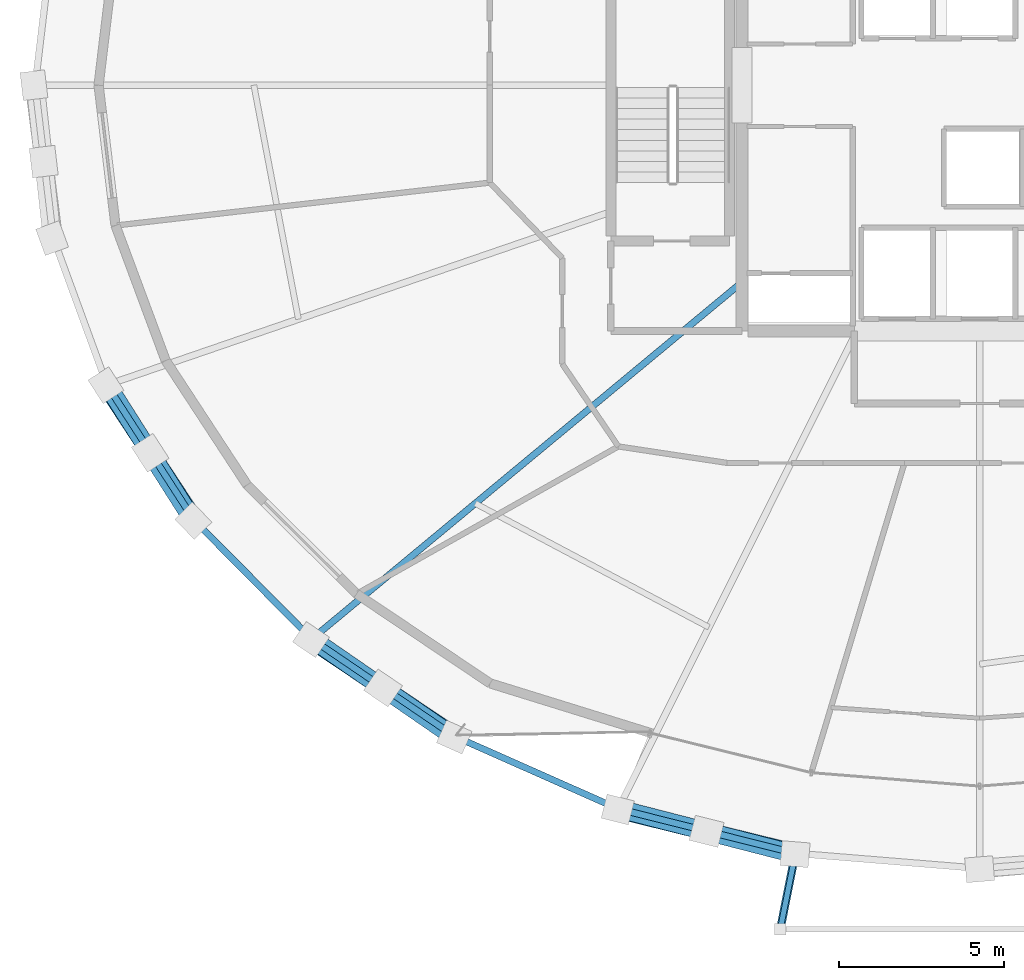
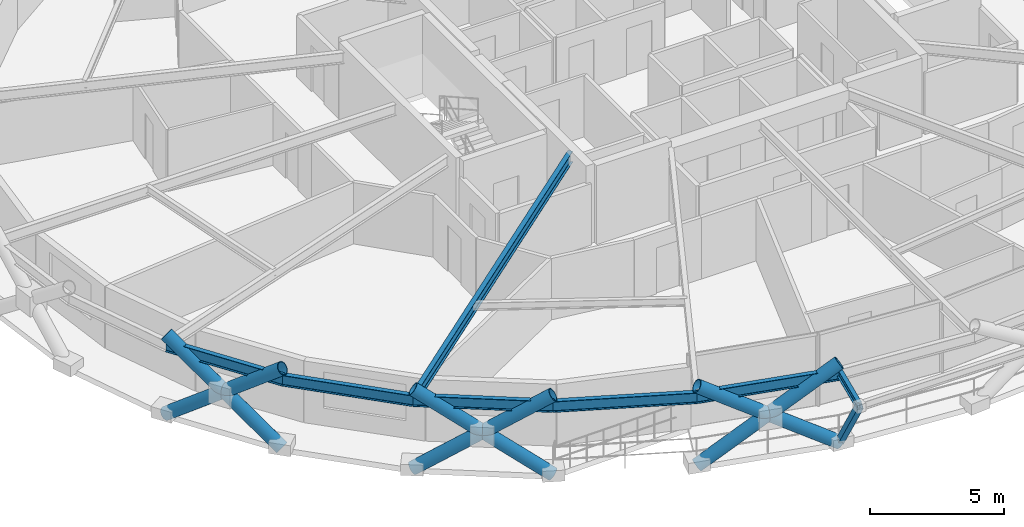
# One storey, part 1 of 21: 10 members, 7 beams.
"""IFC4 building model written with IfcOpenShell, lengths in metres."""

from ifc_helpers import new_model, si_unit, direction, frame, origin, origin_2d, place, context, subcontext, project, spatial, hollow_rectangle, hollow_circle, i_section, extrude, material, material_profile, profile_set, type_object, element, save


model = new_model("IFC4")

# Units and contexts
model_context = context("Model", 3, precision=1e-05, world=origin(), true_north=direction((0.0, 1.0)))
body_context = subcontext(model_context, "Body", "Model", "MODEL_VIEW")
ifc_project = project(units=[si_unit("LENGTHUNIT", "METRE"), si_unit("AREAUNIT", "SQUARE_METRE"), si_unit("VOLUMEUNIT", "CUBIC_METRE"), si_unit("PLANEANGLEUNIT", "RADIAN"), si_unit("MASSUNIT", "GRAM", prefix="KILO")], contexts=[model_context])

# Site, building, storey
site_placement = place(None, origin())
site = spatial("IfcSite", under=ifc_project, at=site_placement, CompositionType="ELEMENT")
building_placement = place(site_placement, origin())
building = spatial("IfcBuilding", under=site, at=building_placement, Name="Veldorina Hangang Commons", CompositionType="ELEMENT")
storey_placement = place(building_placement, frame((0.0, 0.0, 120.800048828125)))
storey = spatial("IfcBuildingStorey", under=building, at=storey_placement, Name="L30", CompositionType="ELEMENT", Elevation=120.800048828125)

# Beams
ifc_material_1 = material(Name="Steel SM355-TMC", Category="steel")
ifc_material_profile_1 = material_profile(ifc_material_1, i_section(OverallWidth=0.175048828125, OverallDepth=0.35009765625, WebThickness=0.007080078125, FlangeThickness=0.010986328125, FilletRadius=0.012939453125, at=origin_2d()), Name="H-350x175x7x11")
ifc_profile_set_1 = profile_set([ifc_material_profile_1], Name="Steel SM355-TMC")
beam_type_1 = type_object("IfcBeamType", Name="BM-FG350", PredefinedType="BEAM", material=ifc_profile_set_1)
beam_1_placement = place(storey_placement, frame((26.415283203125, 0.717529296875, 3.175048828125), z_axis=(-0.1950971513, -0.98078392195, 0.0), x_axis=(0.98078392195, -0.1950971513, 0.0)))
element("IfcBeam", 1, at=beam_1_placement, inside=storey, type_object=beam_type_1, Name="L31 tree balcony 1 bracket beam A", PredefinedType="BEAM", context=body_context, shape_type="SweptSolid", body=[
    extrude(i_section(OverallWidth=0.175048828125, OverallDepth=0.35009765625, WebThickness=0.007080078125, FlangeThickness=0.010986328125, FilletRadius=0.012939453125, at=origin_2d()), origin(), (0.0, 0.0, 1.0), 2.35009765625),
])
ifc_material_2 = material(Name="Steel SM420-TMC", Category="steel")
ifc_material_profile_2 = material_profile(ifc_material_2, i_section(OverallWidth=0.199951171875, OverallDepth=0.5, WebThickness=0.010009765625, FlangeThickness=0.01611328125, FilletRadius=0.01611328125, at=origin_2d()), Name="H-500x200x10x16")
ifc_profile_set_2 = profile_set([ifc_material_profile_2], Name="Steel SM420-TMC")
beam_type_2 = type_object("IfcBeamType", Name="BM-FG500", PredefinedType="BEAM", material=ifc_profile_set_2)
beam_2_placement = place(storey_placement, frame((24.800048828125, 18.029541015625, 3.099853515625), z_axis=(-0.769776432581, -0.638313593654, 0.0), x_axis=(0.638313593654, -0.769776432581, 0.0)))
element("IfcBeam", 2, at=beam_2_placement, inside=storey, type_object=beam_type_2, Name="L30 radial floor girder 11", PredefinedType="BEAM", context=body_context, shape_type="SweptSolid", body=[
    extrude(i_section(OverallWidth=0.199951171875, OverallDepth=0.5, WebThickness=0.010009765625, FlangeThickness=0.01611328125, FilletRadius=0.01611328125, at=origin_2d()), origin(), (0.0, 0.0, 1.0), 16.947998046875),
])
ifc_material_profile_3 = material_profile(ifc_material_2, i_section(OverallWidth=0.199951171875, OverallDepth=0.5, WebThickness=0.010009765625, FlangeThickness=0.01611328125, FilletRadius=0.01611328125, at=origin_2d()), Name="H-500x200x10x16")
ifc_profile_set_3 = profile_set([ifc_material_profile_3], Name="Steel SM420-TMC")
beam_type_3 = type_object("IfcBeamType", Name="BM-RB500", PredefinedType="BEAM", material=ifc_profile_set_3)
beam_3_placement = place(storey_placement, frame((5.54736328125, 14.9140625, 3.099853515625), z_axis=(0.541770407584, -0.840526516813, 0.0), x_axis=(0.840526516813, 0.541770407584, 0.0)))
element("IfcBeam", 3, at=beam_3_placement, inside=storey, type_object=beam_type_3, Name="L30 perimeter hoop ring beam 18", PredefinedType="BEAM", context=body_context, shape_type="SweptSolid", body=[
    extrude(i_section(OverallWidth=0.199951171875, OverallDepth=0.5, WebThickness=0.010009765625, FlangeThickness=0.01611328125, FilletRadius=0.01611328125, at=origin_2d()), origin(), (0.0, 0.0, 1.0), 4.883544921875),
])
beam_4_placement = place(storey_placement, frame((8.193115234375, 10.809326171875, 3.099853515625), z_axis=(0.703431814943, -0.710762746439, 0.0), x_axis=(0.710762746439, 0.703431814943, 0.0)))
element("IfcBeam", 4, at=beam_4_placement, inside=storey, type_object=beam_type_3, Name="L30 perimeter hoop ring beam 19", PredefinedType="BEAM", context=body_context, shape_type="SweptSolid", body=[
    extrude(i_section(OverallWidth=0.199951171875, OverallDepth=0.5, WebThickness=0.010009765625, FlangeThickness=0.01611328125, FilletRadius=0.01611328125, at=origin_2d()), origin(), (0.0, 0.0, 1.0), 5.06201171875),
])
beam_5_placement = place(storey_placement, frame((11.75390625, 7.21142578125, 3.099853515625), z_axis=(0.826730910528, -0.562597548499, 0.0), x_axis=(0.562597548499, 0.826730910528, 0.0)))
element("IfcBeam", 5, at=beam_5_placement, inside=storey, type_object=beam_type_3, Name="L30 perimeter hoop ring beam 20", PredefinedType="BEAM", context=body_context, shape_type="SweptSolid", body=[
    extrude(i_section(OverallWidth=0.199951171875, OverallDepth=0.5, WebThickness=0.010009765625, FlangeThickness=0.01611328125, FilletRadius=0.01611328125, at=origin_2d()), origin(), (0.0, 0.0, 1.0), 5.248291015625),
])
beam_6_placement = place(storey_placement, frame((16.0927734375, 4.2587890625, 3.099853515625), z_axis=(0.914221993939, -0.405213703863, 0.0), x_axis=(0.405213703863, 0.914221993939, 0.0)))
element("IfcBeam", 6, at=beam_6_placement, inside=storey, type_object=beam_type_3, Name="L30 perimeter hoop ring beam 21", PredefinedType="BEAM", context=body_context, shape_type="SweptSolid", body=[
    extrude(i_section(OverallWidth=0.199951171875, OverallDepth=0.5, WebThickness=0.010009765625, FlangeThickness=0.01611328125, FilletRadius=0.01611328125, at=origin_2d()), origin(), (0.0, 0.0, 1.0), 5.41455078125),
])
beam_7_placement = place(storey_placement, frame((21.04296875, 2.064697265625, 3.099853515625), z_axis=(0.969788824145, -0.243945970583, 0.0), x_axis=(0.243945970583, 0.969788824145, 0.0)))
element("IfcBeam", 7, at=beam_7_placement, inside=storey, type_object=beam_type_3, Name="L30 perimeter hoop ring beam 22", PredefinedType="BEAM", context=body_context, shape_type="SweptSolid", body=[
    extrude(i_section(OverallWidth=0.199951171875, OverallDepth=0.5, WebThickness=0.010009765625, FlangeThickness=0.01611328125, FilletRadius=0.01611328125, at=origin_2d()), origin(), (0.0, 0.0, 1.0), 5.538330078125),
])

# Members
ifc_material_profile_4 = material_profile(ifc_material_2, hollow_circle(Radius=0.27490234375, WallThickness=0.028076171875, at=origin_2d()), Name="CHS-550x28")
ifc_profile_set_4 = profile_set([ifc_material_profile_4], Name="Steel SM420-TMC")
member_type_1 = type_object("IfcMemberType", Name="DG-CHS550", PredefinedType="BRACE", material=ifc_profile_set_4)
member_1_placement = place(storey_placement, frame((5.51513671875, 14.90478515625, 0.0), z_axis=(0.441588226358, -0.673734480218, 0.592521466707), x_axis=(0.836360973409, 0.548179096791, 0.0)))
element("IfcMember", 8, at=member_1_placement, inside=storey, type_object=member_type_1, Name="L30 continuous perimeter diagrid brace 18", PredefinedType="BRACE", context=body_context, shape_type="SweptSolid", body=[
    extrude(hollow_circle(Radius=0.27490234375, WallThickness=0.028076171875, at=origin_2d()), origin(), (0.0, 0.0, 1.0), 6.075439453125),
])
member_2_placement = place(storey_placement, frame((8.164306640625, 10.7958984375, 0.0), z_axis=(-0.430878712197, 0.679521406382, 0.593796424412), x_axis=(-0.84452954483, -0.535508961558, 0.0)))
element("IfcMember", 9, at=member_2_placement, inside=storey, type_object=member_type_1, Name="L30 split perimeter diagrid lower brace 19", PredefinedType="BRACE", context=body_context, shape_type="SweptSolid", body=[
    extrude(hollow_circle(Radius=0.27490234375, WallThickness=0.028076171875, at=origin_2d()), origin(), (0.0, 0.0, 1.0), 3.032958984375),
])
member_3_placement = place(storey_placement, frame((6.857421875, 12.85693359375, 1.801025390625), z_axis=(-0.430775214693, 0.679569057117, 0.593816984445), x_axis=(-0.844604694174, -0.535390428173, 0.0)))
element("IfcMember", 10, at=member_3_placement, inside=storey, type_object=member_type_1, Name="L30 split perimeter diagrid upper brace 19", PredefinedType="BRACE", context=body_context, shape_type="SweptSolid", body=[
    extrude(hollow_circle(Radius=0.27490234375, WallThickness=0.028076171875, at=origin_2d()), origin(), (0.0, 0.0, 1.0), 3.029296875),
])
member_4_placement = place(storey_placement, frame((11.7294921875, 7.1943359375, 0.0), z_axis=(0.685088979462, -0.460045772622, 0.564810567636), x_axis=(0.557482178727, 0.830188906456, 0.0)))
element("IfcMember", 11, at=member_4_placement, inside=storey, type_object=member_type_1, Name="L30 continuous perimeter diagrid brace 20", PredefinedType="BRACE", context=body_context, shape_type="SweptSolid", body=[
    extrude(hollow_circle(Radius=0.27490234375, WallThickness=0.028076171875, at=origin_2d()), origin(), (0.0, 0.0, 1.0), 6.37353515625),
])
member_5_placement = place(storey_placement, frame((16.073486328125, 4.238525390625, 0.0), z_axis=(-0.678671000112, 0.467895506917, 0.566109060353), x_axis=(-0.56760679126, -0.823299781681, 0.0)))
element("IfcMember", 12, at=member_5_placement, inside=storey, type_object=member_type_1, Name="L30 split perimeter diagrid lower brace 21", PredefinedType="BRACE", context=body_context, shape_type="SweptSolid", body=[
    extrude(hollow_circle(Radius=0.27490234375, WallThickness=0.028076171875, at=origin_2d()), origin(), (0.0, 0.0, 1.0), 3.181884765625),
])
member_6_placement = place(storey_placement, frame((13.9140625, 5.727294921875, 1.80126953125), z_axis=(-0.678627717059, 0.468016465649, 0.566060959191), x_axis=(-0.56773077769, -0.823214288058, 0.0)))
element("IfcMember", 13, at=member_6_placement, inside=storey, type_object=member_type_1, Name="L30 split perimeter diagrid upper brace 21", PredefinedType="BRACE", context=body_context, shape_type="SweptSolid", body=[
    extrude(hollow_circle(Radius=0.27490234375, WallThickness=0.028076171875, at=origin_2d()), origin(), (0.0, 0.0, 1.0), 3.17724609375),
])
member_7_placement = place(storey_placement, frame((21.029541015625, 2.042236328125, 0.0), z_axis=(0.814526876602, -0.200345549975, 0.544433308953), x_axis=(0.238846641662, 0.97105730097, 0.0)))
element("IfcMember", 14, at=member_7_placement, inside=storey, type_object=member_type_1, Name="L30 continuous perimeter diagrid brace 22", PredefinedType="BRACE", context=body_context, shape_type="SweptSolid", body=[
    extrude(hollow_circle(Radius=0.27490234375, WallThickness=0.028076171875, at=origin_2d()), origin(), (0.0, 0.0, 1.0), 6.612060546875),
])
member_8_placement = place(storey_placement, frame((26.4072265625, 0.689697265625, 0.0), z_axis=(-0.811945160078, 0.208731010758, 0.545138901725), x_axis=(-0.248979628676, -0.968508721956, 0.0)))
element("IfcMember", 15, at=member_8_placement, inside=storey, type_object=member_type_1, Name="L30 split perimeter diagrid lower brace 23", PredefinedType="BRACE", context=body_context, shape_type="SweptSolid", body=[
    extrude(hollow_circle(Radius=0.27490234375, WallThickness=0.028076171875, at=origin_2d()), origin(), (0.0, 0.0, 1.0), 3.30419921875),
])
member_9_placement = place(storey_placement, frame((23.724365234375, 1.37939453125, 1.80126953125), z_axis=(-0.811964846241, 0.208799416447, 0.545083380924), x_axis=(-0.249050500324, -0.968490499844, 0.0)))
element("IfcMember", 16, at=member_9_placement, inside=storey, type_object=member_type_1, Name="L30 split perimeter diagrid upper brace 23", PredefinedType="BRACE", context=body_context, shape_type="SweptSolid", body=[
    extrude(hollow_circle(Radius=0.27490234375, WallThickness=0.028076171875, at=origin_2d()), origin(), (0.0, 0.0, 1.0), 3.299560546875),
])
ifc_material_profile_5 = material_profile(ifc_material_1, hollow_rectangle(XDim=0.25, YDim=0.25, WallThickness=0.011962890625, at=origin_2d()), Name="SHS-250x250x12")
ifc_profile_set_5 = profile_set([ifc_material_profile_5], Name="Steel SM355-TMC")
member_type_2 = type_object("IfcMemberType", Name="STR-SHS250", PredefinedType="STRUT", material=ifc_profile_set_5)
member_10_placement = place(storey_placement, frame((26.4072265625, 0.689697265625, 0.0), z_axis=(-0.114526269567, -0.578962881438, 0.807270534267), x_axis=(0.980991125023, -0.19405260273, 0.0)))
element("IfcMember", 17, at=member_10_placement, inside=storey, type_object=member_type_2, Name="L31 tree balcony 1 raking knee strut A", PredefinedType="STRUT", context=body_context, shape_type="SweptSolid", body=[
    extrude(hollow_rectangle(XDim=0.25, YDim=0.25, WallThickness=0.011962890625, at=origin_2d()), origin(), (0.0, 0.0, 1.0), 3.93310546875),
])

save(model, "model.ifc")
